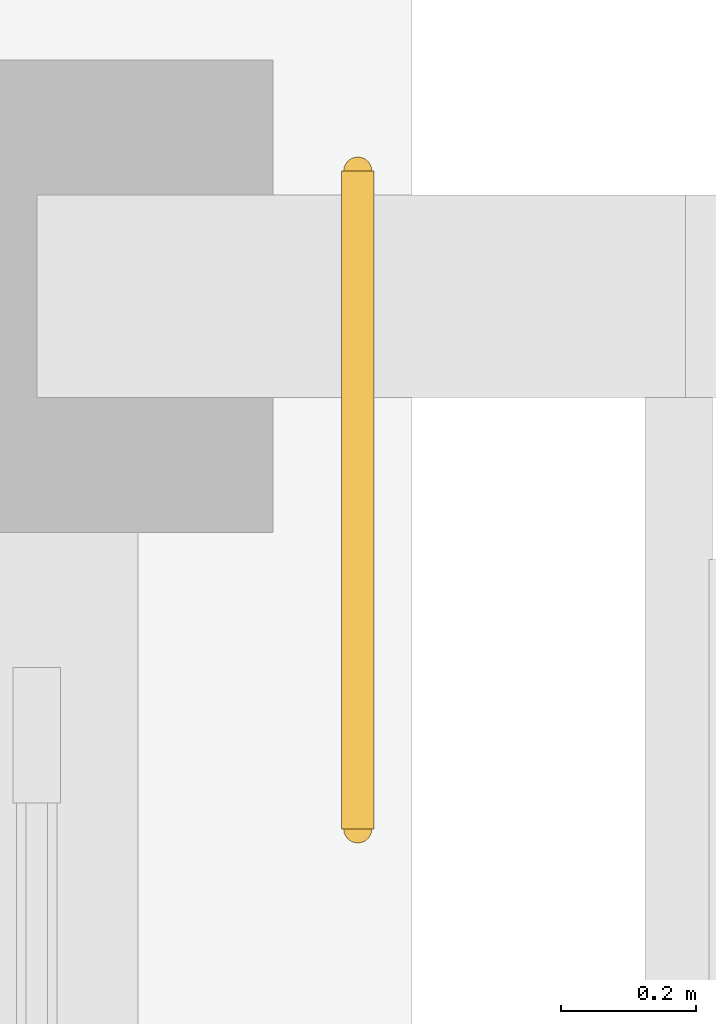
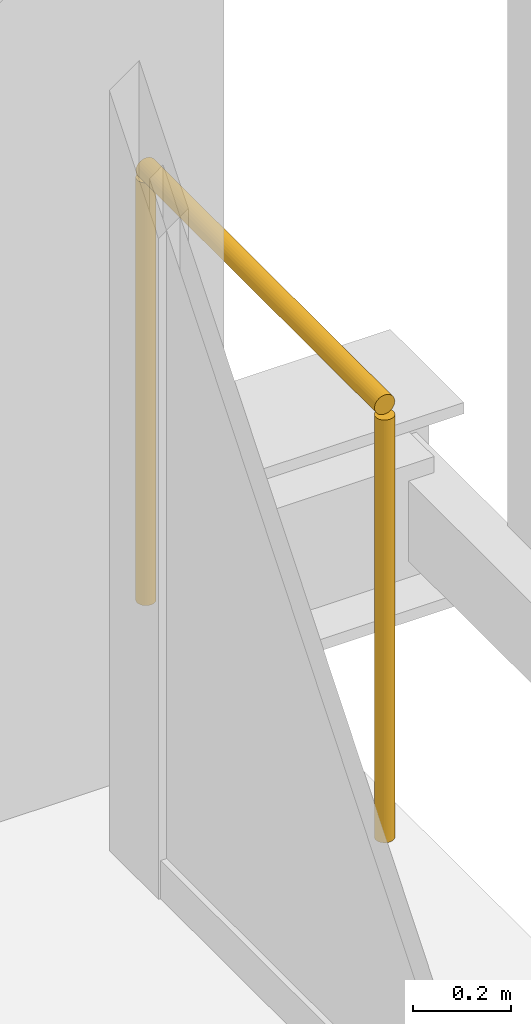
# One storey, part 103 of 104: 1 railing.
"""IFC4 building model written with IfcOpenShell, lengths in metres."""

from ifc_helpers import new_model, si_unit, direction, frame, origin, origin_2d, place, context, subcontext, project, spatial, circle, extrude, material, type_object, element, save


model = new_model("IFC4")

# Units and contexts
model_context = context("Model", 3, precision=1e-05, world=origin(), true_north=direction((0.0, 1.0)))
body_context = subcontext(model_context, "Body", "Model", "MODEL_VIEW")
ifc_project = project(units=[si_unit("LENGTHUNIT", "METRE"), si_unit("AREAUNIT", "SQUARE_METRE"), si_unit("VOLUMEUNIT", "CUBIC_METRE"), si_unit("PLANEANGLEUNIT", "RADIAN"), si_unit("MASSUNIT", "GRAM", prefix="KILO")], contexts=[model_context])

# Site, building, storey
site_placement = place(None, origin())
site = spatial("IfcSite", under=ifc_project, at=site_placement, CompositionType="ELEMENT")
building_placement = place(site_placement, origin())
building = spatial("IfcBuilding", under=site, at=building_placement, Name="Koshinbarg Plaza Stadium", CompositionType="ELEMENT")
storey_placement = place(building_placement, frame((0.0, 0.0, 19.800048828125)))
storey = spatial("IfcBuildingStorey", under=building, at=storey_placement, Name="L04", CompositionType="ELEMENT", Elevation=19.800048828125)

# Railing
ifc_material = material(Name="Toughened laminated glass and stainless steel sightline balustrade", Category="steel")
railing_type = type_object("IfcRailingType", Name="RL-BOWL-1100", PredefinedType="BALUSTRADE", material=ifc_material)
railing_placement = place(storey_placement, frame((218.875, 126.68505859375, 0.0)))
element("IfcRailing", 1, at=railing_placement, inside=storey, type_object=railing_type, Name="L04 deck edge safety balustrade 0325", PredefinedType="BALUSTRADE", context=body_context, shape_type="SweptSolid", body=[
    extrude(circle(Radius=0.02392578125, at=origin_2d()), frame((0.0, 0.0, 1.076171875), z_axis=(0.0, -1.0, 0.0), x_axis=(1.0, 0.0, 0.0)), (0.0, 0.0, 1.0), 0.973388671875),
    extrude(circle(Radius=0.02099609375, at=origin_2d()), origin(), (0.0, 0.0, 1.0), 1.052001953125),
    extrude(circle(Radius=0.02099609375, at=origin_2d()), frame((0.0, -0.973388671875, 0.0)), (0.0, 0.0, 1.0), 1.052001953125),
])

save(model, "model.ifc")
